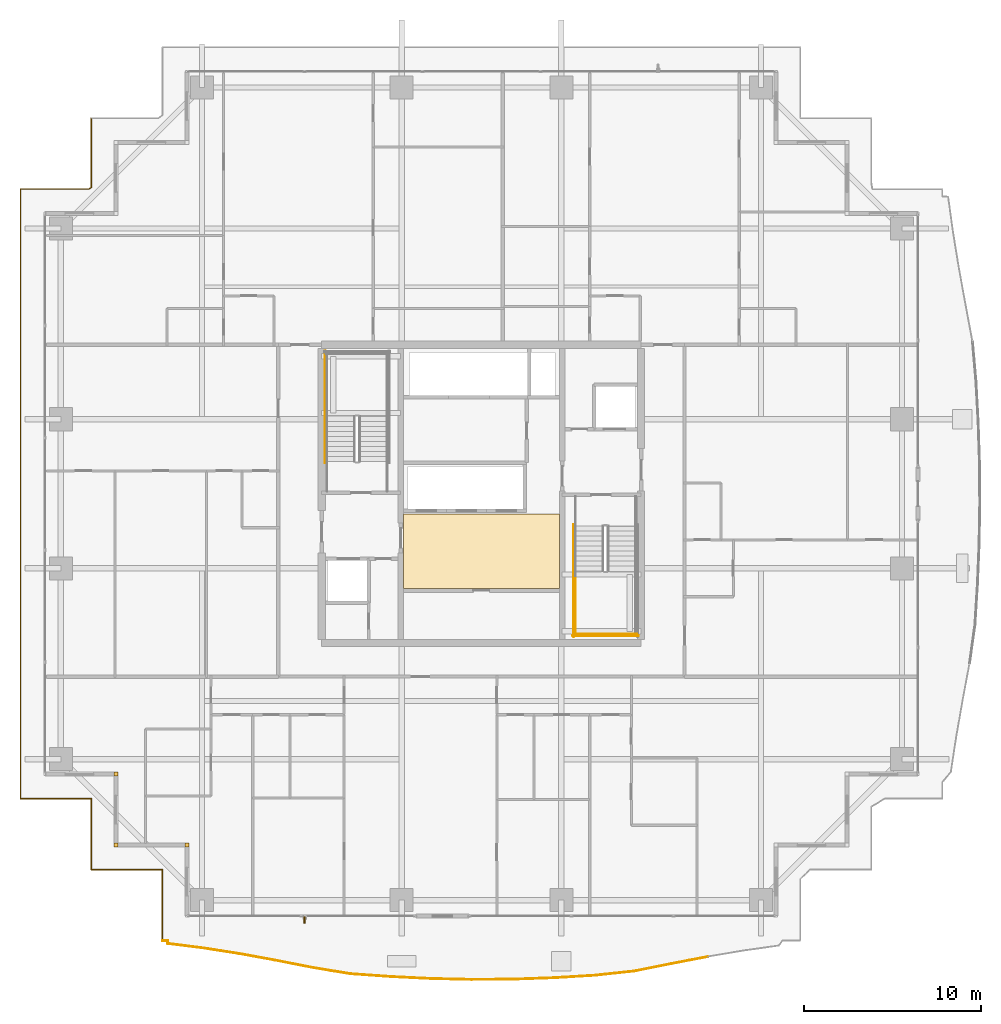
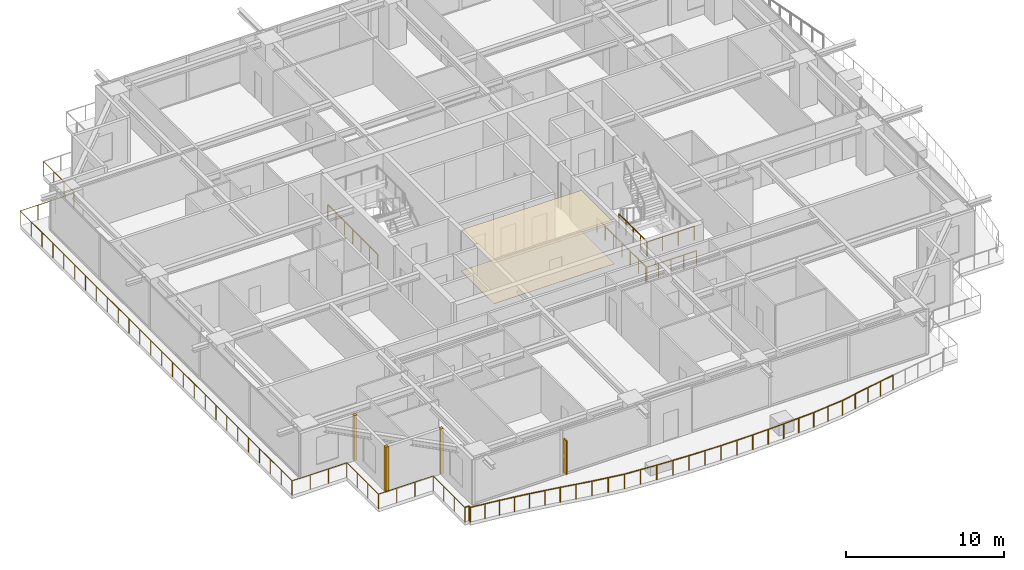
# One storey, part 32 of 36: 8 railings, 5 coverings, 1 shading device.
"""IFC4 building model written with IfcOpenShell, lengths in metres."""

from ifc_helpers import new_model, si_unit, direction, frame, origin, origin_2d, place, context, subcontext, project, spatial, polyline, rectangle, circle, outline, extrude, source, transform, mapped, material, layer, layer_set, type_object, element, save


model = new_model("IFC4")

# Units and contexts
model_context = context("Model", 3, precision=1e-05, world=origin(), true_north=direction((0.0, 1.0)))
body_context = subcontext(model_context, "Body", "Model", "MODEL_VIEW")
ifc_project = project(units=[si_unit("LENGTHUNIT", "METRE"), si_unit("AREAUNIT", "SQUARE_METRE"), si_unit("VOLUMEUNIT", "CUBIC_METRE"), si_unit("PLANEANGLEUNIT", "RADIAN"), si_unit("MASSUNIT", "GRAM", prefix="KILO")], contexts=[model_context])

# Site, building, storey
site_placement = place(None, origin())
site = spatial("IfcSite", under=ifc_project, at=site_placement, CompositionType="ELEMENT")
building_placement = place(site_placement, origin())
building = spatial("IfcBuilding", under=site, at=building_placement, Name="Serunith Strait Residences", CompositionType="ELEMENT")
storey_placement = place(building_placement, frame((0.0, 0.0, 146.39990234375)))
storey = spatial("IfcBuildingStorey", under=building, at=storey_placement, Name="L36", CompositionType="ELEMENT", Elevation=146.39990234375)

# Coverings
ifc_material_1 = material(Name="Perforated acoustic gypsum ceiling tile")
ifc_layer_1 = layer(ifc_material_1, 0.02490234375, Name="Perforated acoustic gypsum ceiling tile")
ifc_layer_set_1 = layer_set([ifc_layer_1], Name="Perforated acoustic gypsum ceiling tile")
covering_type_1 = type_object("IfcCoveringType", Name="COV-CEIL-AC60", PredefinedType="CEILING", material=ifc_layer_set_1)
covering_1_placement = place(storey_placement, frame((0.0, 0.0, 3.14013671875)))
element("IfcCovering", 1, at=covering_1_placement, inside=storey, type_object=covering_type_1, Name="L36 Lift Lobby Acoustic Ceiling", PredefinedType="CEILING", context=body_context, shape_type="SweptSolid", body=[
    extrude(outline(polyline([(28.0, 19.85009765625), (36.800048828125, 19.85009765625), (36.800048828125, 24.050048828125), (28.0, 24.050048828125), (28.0, 19.85009765625)])), origin(), (0.0, 0.0, 1.0), 0.02490234375),
])
ifc_material_2 = material(Name="Honed limestone terrazzo flooring", Category="masonry")
ifc_layer_2 = layer(ifc_material_2, 0.02001953125, Name="Honed limestone terrazzo flooring")
ifc_layer_set_2 = layer_set([ifc_layer_2], Name="Honed limestone terrazzo flooring")
covering_type_2 = type_object("IfcCoveringType", Name="COV-FLOOR-TER40", PredefinedType="FLOORING", material=ifc_layer_set_2)
covering_2_placement = place(storey_placement, origin())
element("IfcCovering", 2, at=covering_2_placement, inside=storey, type_object=covering_type_2, Name="L36 Lift Lobby Terrazzo Flooring", PredefinedType="FLOORING", context=body_context, shape_type="SweptSolid", body=[
    extrude(outline(polyline([(28.0, 19.85009765625), (36.800048828125, 19.85009765625), (36.800048828125, 24.050048828125), (28.0, 24.050048828125), (28.0, 19.85009765625)])), origin(), (0.0, 0.0, 1.0), 0.02001953125),
])

# Railings
ifc_material_3 = material(Name="Stainless Steel & Laminated Glass Balustrade", Category="steel")
railing_type_1 = type_object("IfcRailingType", Name="RLG-BALC-1150", PredefinedType="BALUSTRADE", material=ifc_material_3)
railing_1_placement = place(storey_placement, frame((14.419921875, 0.02001953125, -0.0498046875)))
element("IfcRailing", 3, at=railing_1_placement, inside=storey, type_object=railing_type_1, Name="L36 Swirling Balcony Perimeter Balustrade 1", PredefinedType="BALUSTRADE", context=body_context, shape_type="SweptSolid", body=[
    extrude(circle(Radius=0.02392578125, at=origin_2d()), frame((0.0, 0.001953125, 1.1259765625), z_axis=(0.0, 1.0, 0.0), x_axis=(-1.0, 0.0, 0.0)), (0.0, 0.0, 1.0), 3.99609375),
    extrude(circle(Radius=0.02392578125, at=origin_2d()), frame((-0.001953125, 4.0, 1.1259765625), z_axis=(-1.0, 0.0, 0.0), x_axis=(0.0, -1.0, 0.0)), (0.0, 0.0, 1.0), 3.99609375),
    extrude(circle(Radius=0.02392578125, at=origin_2d()), frame((-4.0, 4.001953125, 1.1259765625), z_axis=(0.0, 1.0, 0.0), x_axis=(-1.0, 0.0, 0.0)), (0.0, 0.0, 1.0), 3.99609375),
    extrude(circle(Radius=0.02392578125, at=origin_2d()), frame((-4.001953125, 8.0, 1.1259765625), z_axis=(-1.0, 0.0, 0.0), x_axis=(0.0, -1.0, 0.0)), (0.0, 0.0, 1.0), 3.99609375),
    extrude(circle(Radius=0.02392578125, at=origin_2d()), frame((-8.0, 8.001953125, 1.1259765625), z_axis=(0.0, 1.0, 0.0), x_axis=(-1.0, 0.0, 0.0)), (0.0, 0.0, 1.0), 34.35595703125),
    extrude(circle(Radius=0.02392578125, at=origin_2d()), frame((-7.998046875, 42.35986328125, 1.1259765625), z_axis=(1.0, 0.0, 0.0), x_axis=(0.0, 1.0, 0.0)), (0.0, 0.0, 1.0), 3.861083984375),
    extrude(circle(Radius=0.02392578125, at=origin_2d()), frame((-4.13330078125, 42.361083984375, 1.1259765625), z_axis=(0.808862567734, 0.587997743633, 0.0), x_axis=(-0.587997743633, 0.808862567734, 0.0)), (0.0, 0.0, 1.0), 0.162841796875),
    extrude(circle(Radius=0.02392578125, at=origin_2d()), frame((-4.0, 42.4599609375, 1.1259765625), z_axis=(0.0, 1.0, 0.0), x_axis=(-1.0, 0.0, 0.0)), (0.0, 0.0, 1.0), 3.89794921875),
    extrude(circle(Radius=0.02099609375, at=origin_2d()), origin(), (0.0, 0.0, 1.0), 1.099853515625),
    extrude(circle(Radius=0.02099609375, at=origin_2d()), frame((0.0, 1.333251953125, 0.0)), (0.0, 0.0, 1.0), 1.099853515625),
    extrude(circle(Radius=0.02099609375, at=origin_2d()), frame((0.0, 2.666748046875, 0.0)), (0.0, 0.0, 1.0), 1.099853515625),
    extrude(circle(Radius=0.02099609375, at=origin_2d()), frame((0.0, 4.0, 0.0)), (0.0, 0.0, 1.0), 1.099853515625),
    extrude(circle(Radius=0.02099609375, at=origin_2d()), frame((-1.333251953125, 4.0, 0.0)), (0.0, 0.0, 1.0), 1.099853515625),
    extrude(circle(Radius=0.02099609375, at=origin_2d()), frame((-2.666748046875, 4.0, 0.0)), (0.0, 0.0, 1.0), 1.099853515625),
    extrude(circle(Radius=0.02099609375, at=origin_2d()), frame((-4.0, 4.0, 0.0)), (0.0, 0.0, 1.0), 1.099853515625),
    extrude(circle(Radius=0.02099609375, at=origin_2d()), frame((-4.0, 5.333251953125, 0.0)), (0.0, 0.0, 1.0), 1.099853515625),
    extrude(circle(Radius=0.02099609375, at=origin_2d()), frame((-4.0, 6.666748046875, 0.0)), (0.0, 0.0, 1.0), 1.099853515625),
    extrude(circle(Radius=0.02099609375, at=origin_2d()), frame((-4.0, 8.0, 0.0)), (0.0, 0.0, 1.0), 1.099853515625),
    extrude(circle(Radius=0.02099609375, at=origin_2d()), frame((-5.333251953125, 8.0, 0.0)), (0.0, 0.0, 1.0), 1.099853515625),
    extrude(circle(Radius=0.02099609375, at=origin_2d()), frame((-6.666748046875, 8.0, 0.0)), (0.0, 0.0, 1.0), 1.099853515625),
    extrude(circle(Radius=0.02099609375, at=origin_2d()), frame((-8.0, 8.0, 0.0)), (0.0, 0.0, 1.0), 1.099853515625),
    extrude(circle(Radius=0.02099609375, at=origin_2d()), frame((-8.0, 9.37451171875, 0.0)), (0.0, 0.0, 1.0), 1.099853515625),
    extrude(circle(Radius=0.02099609375, at=origin_2d()), frame((-8.0, 10.748779296875, 0.0)), (0.0, 0.0, 1.0), 1.099853515625),
    extrude(circle(Radius=0.02099609375, at=origin_2d()), frame((-8.0, 12.123291015625, 0.0)), (0.0, 0.0, 1.0), 1.099853515625),
    extrude(circle(Radius=0.02099609375, at=origin_2d()), frame((-8.0, 13.49755859375, 0.0)), (0.0, 0.0, 1.0), 1.099853515625),
    extrude(circle(Radius=0.02099609375, at=origin_2d()), frame((-8.0, 14.8720703125, 0.0)), (0.0, 0.0, 1.0), 1.099853515625),
    extrude(circle(Radius=0.02099609375, at=origin_2d()), frame((-8.0, 16.246337890625, 0.0)), (0.0, 0.0, 1.0), 1.099853515625),
    extrude(circle(Radius=0.02099609375, at=origin_2d()), frame((-8.0, 17.620849609375, 0.0)), (0.0, 0.0, 1.0), 1.099853515625),
    extrude(circle(Radius=0.02099609375, at=origin_2d()), frame((-8.0, 18.9951171875, 0.0)), (0.0, 0.0, 1.0), 1.099853515625),
    extrude(circle(Radius=0.02099609375, at=origin_2d()), frame((-8.0, 20.36962890625, 0.0)), (0.0, 0.0, 1.0), 1.099853515625),
    extrude(circle(Radius=0.02099609375, at=origin_2d()), frame((-8.0, 21.743896484375, 0.0)), (0.0, 0.0, 1.0), 1.099853515625),
    extrude(circle(Radius=0.02099609375, at=origin_2d()), frame((-8.0, 23.118408203125, 0.0)), (0.0, 0.0, 1.0), 1.099853515625),
    extrude(circle(Radius=0.02099609375, at=origin_2d()), frame((-8.0, 24.49267578125, 0.0)), (0.0, 0.0, 1.0), 1.099853515625),
    extrude(circle(Radius=0.02099609375, at=origin_2d()), frame((-8.0, 25.8671875, 0.0)), (0.0, 0.0, 1.0), 1.099853515625),
    extrude(circle(Radius=0.02099609375, at=origin_2d()), frame((-8.0, 27.241455078125, 0.0)), (0.0, 0.0, 1.0), 1.099853515625),
    extrude(circle(Radius=0.02099609375, at=origin_2d()), frame((-8.0, 28.615966796875, 0.0)), (0.0, 0.0, 1.0), 1.099853515625),
    extrude(circle(Radius=0.02099609375, at=origin_2d()), frame((-8.0, 29.990234375, 0.0)), (0.0, 0.0, 1.0), 1.099853515625),
    extrude(circle(Radius=0.02099609375, at=origin_2d()), frame((-8.0, 31.36474609375, 0.0)), (0.0, 0.0, 1.0), 1.099853515625),
    extrude(circle(Radius=0.02099609375, at=origin_2d()), frame((-8.0, 32.739013671875, 0.0)), (0.0, 0.0, 1.0), 1.099853515625),
    extrude(circle(Radius=0.02099609375, at=origin_2d()), frame((-8.0, 34.113525390625, 0.0)), (0.0, 0.0, 1.0), 1.099853515625),
    extrude(circle(Radius=0.02099609375, at=origin_2d()), frame((-8.0, 35.48779296875, 0.0)), (0.0, 0.0, 1.0), 1.099853515625),
    extrude(circle(Radius=0.02099609375, at=origin_2d()), frame((-8.0, 36.8623046875, 0.0)), (0.0, 0.0, 1.0), 1.099853515625),
    extrude(circle(Radius=0.02099609375, at=origin_2d()), frame((-8.0, 38.236572265625, 0.0)), (0.0, 0.0, 1.0), 1.099853515625),
    extrude(circle(Radius=0.02099609375, at=origin_2d()), frame((-8.0, 39.611083984375, 0.0)), (0.0, 0.0, 1.0), 1.099853515625),
    extrude(circle(Radius=0.02099609375, at=origin_2d()), frame((-8.0, 40.9853515625, 0.0)), (0.0, 0.0, 1.0), 1.099853515625),
    extrude(circle(Radius=0.02099609375, at=origin_2d()), frame((-8.0, 42.35986328125, 0.0)), (0.0, 0.0, 1.0), 1.099853515625),
    extrude(circle(Radius=0.02099609375, at=origin_2d()), frame((-6.711669921875, 42.35986328125, 0.0)), (0.0, 0.0, 1.0), 1.099853515625),
    extrude(circle(Radius=0.02099609375, at=origin_2d()), frame((-5.42333984375, 42.35986328125, 0.0)), (0.0, 0.0, 1.0), 1.099853515625),
    extrude(circle(Radius=0.02099609375, at=origin_2d()), frame((-4.135009765625, 42.35986328125, 0.0)), (0.0, 0.0, 1.0), 1.099853515625),
    extrude(circle(Radius=0.02099609375, at=origin_2d()), frame((-4.0, 42.4580078125, 0.0)), (0.0, 0.0, 1.0), 1.099853515625),
    extrude(circle(Radius=0.02099609375, at=origin_2d()), frame((-4.0, 43.758544921875, 0.0)), (0.0, 0.0, 1.0), 1.099853515625),
    extrude(circle(Radius=0.02099609375, at=origin_2d()), frame((-4.0, 45.059326171875, 0.0)), (0.0, 0.0, 1.0), 1.099853515625),
    extrude(circle(Radius=0.02099609375, at=origin_2d()), frame((-4.0, 46.35986328125, 0.0)), (0.0, 0.0, 1.0), 1.099853515625),
])
railing_2_placement = place(storey_placement, frame((45.15234375, -0.88916015625, -0.0498046875)))
element("IfcRailing", 4, at=railing_2_placement, inside=storey, type_object=railing_type_1, Name="L36 Swirling Balcony Perimeter Balustrade 7", PredefinedType="BALUSTRADE", context=body_context, shape_type="SweptSolid", body=[
    extrude(circle(Radius=0.02392578125, at=origin_2d()), frame((-0.001953125, -0.00048828125, 1.1259765625), z_axis=(-0.982117970388, -0.188266545728, 0.0), x_axis=(0.188266545728, -0.982117970388, 0.0)), (0.0, 0.0, 1.0), 2.085205078125),
    extrude(circle(Radius=0.02392578125, at=origin_2d()), frame((-2.0537109375, -0.393798828125, 1.1259765625), z_axis=(-0.980602495707, -0.196007003482, 0.0), x_axis=(0.196007003482, -0.980602495707, 0.0)), (0.0, 0.0, 1.0), 2.147216796875),
    extrude(circle(Radius=0.02392578125, at=origin_2d()), frame((-4.1630859375, -0.815185546875, 1.1259765625), z_axis=(-0.994344609857, -0.106201680065, 0.0), x_axis=(0.106201680065, -0.994344609857, 0.0)), (0.0, 0.0, 1.0), 2.232666015625),
    extrude(circle(Radius=0.02392578125, at=origin_2d()), frame((-6.38720703125, -1.052490234375, 1.1259765625), z_axis=(-0.998192678631, -0.060094727948, 0.0), x_axis=(0.060094727948, -0.998192678631, 0.0)), (0.0, 0.0, 1.0), 2.279296875),
    extrude(circle(Radius=0.02392578125, at=origin_2d()), frame((-8.666259765625, -1.189697265625, 1.1259765625), z_axis=(-0.999390316156, -0.034914122838, 0.0), x_axis=(0.034914122838, -0.999390316156, 0.0)), (0.0, 0.0, 1.0), 2.303466796875),
    extrude(circle(Radius=0.02392578125, at=origin_2d()), frame((-10.972412109375, -1.270263671875, 1.1259765625), z_axis=(-0.999977293914, -0.006738817185, 0.0), x_axis=(0.006738817185, -0.999977293914, 0.0)), (0.0, 0.0, 1.0), 2.314697265625),
    extrude(circle(Radius=0.02392578125, at=origin_2d()), frame((-13.291015625, -1.285888671875, 1.1259765625), z_axis=(-0.999754685219, 0.022148800917, 0.0), x_axis=(-0.022148800917, -0.999754685219, 0.0)), (0.0, 0.0, 1.0), 2.310791015625),
    extrude(circle(Radius=0.02392578125, at=origin_2d()), frame((-15.605224609375, -1.234619140625, 1.1259765625), z_axis=(-0.99880400999, 0.04889324727, 0.0), x_axis=(-0.04889324727, -0.99880400999, 0.0)), (0.0, 0.0, 1.0), 2.29296875),
    extrude(circle(Radius=0.02099609375, at=origin_2d()), origin(), (0.0, 0.0, 1.0), 1.099853515625),
    extrude(circle(Radius=0.02099609375, at=origin_2d()), frame((-1.02587890625, -0.19677734375, 0.0)), (0.0, 0.0, 1.0), 1.099853515625),
    extrude(circle(Radius=0.02099609375, at=origin_2d()), frame((-2.0517578125, -0.393310546875, 0.0)), (0.0, 0.0, 1.0), 1.099853515625),
    extrude(circle(Radius=0.02099609375, at=origin_2d()), frame((-3.1064453125, -0.60400390625, 0.0)), (0.0, 0.0, 1.0), 1.099853515625),
    extrude(circle(Radius=0.02099609375, at=origin_2d()), frame((-4.1611328125, -0.81494140625, 0.0)), (0.0, 0.0, 1.0), 1.099853515625),
    extrude(circle(Radius=0.02099609375, at=origin_2d()), frame((-5.273193359375, -0.93359375, 0.0)), (0.0, 0.0, 1.0), 1.099853515625),
    extrude(circle(Radius=0.02099609375, at=origin_2d()), frame((-6.38525390625, -1.052490234375, 0.0)), (0.0, 0.0, 1.0), 1.099853515625),
    extrude(circle(Radius=0.02099609375, at=origin_2d()), frame((-7.52490234375, -1.12109375, 0.0)), (0.0, 0.0, 1.0), 1.099853515625),
    extrude(circle(Radius=0.02099609375, at=origin_2d()), frame((-8.664306640625, -1.189697265625, 0.0)), (0.0, 0.0, 1.0), 1.099853515625),
    extrude(circle(Radius=0.02099609375, at=origin_2d()), frame((-9.8173828125, -1.22998046875, 0.0)), (0.0, 0.0, 1.0), 1.099853515625),
    extrude(circle(Radius=0.02099609375, at=origin_2d()), frame((-10.970458984375, -1.270263671875, 0.0)), (0.0, 0.0, 1.0), 1.099853515625),
    extrude(circle(Radius=0.02099609375, at=origin_2d()), frame((-12.1298828125, -1.278076171875, 0.0)), (0.0, 0.0, 1.0), 1.099853515625),
    extrude(circle(Radius=0.02099609375, at=origin_2d()), frame((-13.2890625, -1.285888671875, 0.0)), (0.0, 0.0, 1.0), 1.099853515625),
    extrude(circle(Radius=0.02099609375, at=origin_2d()), frame((-14.4462890625, -1.26025390625, 0.0)), (0.0, 0.0, 1.0), 1.099853515625),
    extrude(circle(Radius=0.02099609375, at=origin_2d()), frame((-15.603271484375, -1.234619140625, 0.0)), (0.0, 0.0, 1.0), 1.099853515625),
    extrude(circle(Radius=0.02099609375, at=origin_2d()), frame((-16.75048828125, -1.178466796875, 0.0)), (0.0, 0.0, 1.0), 1.099853515625),
    extrude(circle(Radius=0.02099609375, at=origin_2d()), frame((-17.8974609375, -1.122314453125, 0.0)), (0.0, 0.0, 1.0), 1.099853515625),
])
railing_3_placement = place(storey_placement, frame((27.2548828125, -2.011474609375, -0.0498046875)))
element("IfcRailing", 5, at=railing_3_placement, inside=storey, type_object=railing_type_1, Name="L36 Swirling Balcony Perimeter Balustrade 8", PredefinedType="BALUSTRADE", context=body_context, shape_type="SweptSolid", body=[
    extrude(circle(Radius=0.02392578125, at=origin_2d()), frame((-0.001953125, 0.000244140625, 1.1259765625), z_axis=(-0.997432392797, 0.071614396589, 0.0), x_axis=(-0.071614396589, -0.997432392797, 0.0)), (0.0, 0.0, 1.0), 2.262939453125),
    extrude(circle(Radius=0.02392578125, at=origin_2d()), frame((-2.26318359375, 0.16259765625, 1.1259765625), z_axis=(-0.98676145514, 0.162178391443, 0.0), x_axis=(-0.162178391443, -0.98676145514, 0.0)), (0.0, 0.0, 1.0), 2.189453125),
    extrude(circle(Radius=0.02392578125, at=origin_2d()), frame((-4.427490234375, 0.5185546875, 1.1259765625), z_axis=(-0.980893951289, 0.194543199122, 0.0), x_axis=(-0.194543199122, -0.980893951289, 0.0)), (0.0, 0.0, 1.0), 2.115478515625),
    extrude(circle(Radius=0.02392578125, at=origin_2d()), frame((-6.506591796875, 0.9306640625, 1.1259765625), z_axis=(-0.98383016379, 0.179103905088, 0.0), x_axis=(-0.179103905088, -0.98383016379, 0.0)), (0.0, 0.0, 1.0), 2.06103515625),
    extrude(circle(Radius=0.02392578125, at=origin_2d()), frame((-8.538330078125, 1.300537109375, 1.1259765625), z_axis=(-0.98811849994, 0.153693949382, 0.0), x_axis=(-0.153693949382, -0.98811849994, 0.0)), (0.0, 0.0, 1.0), 2.0244140625),
    extrude(circle(Radius=0.02392578125, at=origin_2d()), frame((-10.542724609375, 1.6123046875, 1.1259765625), z_axis=(-0.992091710156, 0.125515093275, 0.0), x_axis=(-0.125515093275, -0.992091710156, 0.0)), (0.0, 0.0, 1.0), 2.00537109375),
    extrude(circle(Radius=0.02392578125, at=origin_2d()), frame((-12.5341796875, 1.8662109375, 1.1259765625), z_axis=(0.008758788097, 0.99996164108, 0.0), x_axis=(-0.99996164108, 0.008758788097, 0.0)), (0.0, 0.0, 1.0), 0.163330078125),
    extrude(circle(Radius=0.02392578125, at=origin_2d()), frame((-12.53466796875, 2.031494140625, 1.1259765625), z_axis=(-1.0, 0.0, 0.0), x_axis=(0.0, -1.0, 0.0)), (0.0, 0.0, 1.0), 0.29833984375),
    extrude(circle(Radius=0.02099609375, at=origin_2d()), origin(), (0.0, 0.0, 1.0), 1.099853515625),
    extrude(circle(Radius=0.02099609375, at=origin_2d()), frame((-1.130615234375, 0.0810546875, 0.0)), (0.0, 0.0, 1.0), 1.099853515625),
    extrude(circle(Radius=0.02099609375, at=origin_2d()), frame((-2.26123046875, 0.162353515625, 0.0)), (0.0, 0.0, 1.0), 1.099853515625),
    extrude(circle(Radius=0.02099609375, at=origin_2d()), frame((-3.34326171875, 0.34033203125, 0.0)), (0.0, 0.0, 1.0), 1.099853515625),
    extrude(circle(Radius=0.02099609375, at=origin_2d()), frame((-4.425537109375, 0.51806640625, 0.0)), (0.0, 0.0, 1.0), 1.099853515625),
    extrude(circle(Radius=0.02099609375, at=origin_2d()), frame((-5.465087890625, 0.72412109375, 0.0)), (0.0, 0.0, 1.0), 1.099853515625),
    extrude(circle(Radius=0.02099609375, at=origin_2d()), frame((-6.504638671875, 0.930419921875, 0.0)), (0.0, 0.0, 1.0), 1.099853515625),
    extrude(circle(Radius=0.02099609375, at=origin_2d()), frame((-7.5205078125, 1.115234375, 0.0)), (0.0, 0.0, 1.0), 1.099853515625),
    extrude(circle(Radius=0.02099609375, at=origin_2d()), frame((-8.536376953125, 1.30029296875, 0.0)), (0.0, 0.0, 1.0), 1.099853515625),
    extrude(circle(Radius=0.02099609375, at=origin_2d()), frame((-9.53857421875, 1.4560546875, 0.0)), (0.0, 0.0, 1.0), 1.099853515625),
    extrude(circle(Radius=0.02099609375, at=origin_2d()), frame((-10.540771484375, 1.612060546875, 0.0)), (0.0, 0.0, 1.0), 1.099853515625),
    extrude(circle(Radius=0.02099609375, at=origin_2d()), frame((-11.53759765625, 1.73828125, 0.0)), (0.0, 0.0, 1.0), 1.099853515625),
    extrude(circle(Radius=0.02099609375, at=origin_2d()), frame((-12.5341796875, 1.8642578125, 0.0)), (0.0, 0.0, 1.0), 1.099853515625),
    extrude(circle(Radius=0.02099609375, at=origin_2d()), frame((-12.53271484375, 2.031494140625, 0.0)), (0.0, 0.0, 1.0), 1.099853515625),
    extrude(circle(Radius=0.02099609375, at=origin_2d()), frame((-12.8349609375, 2.031494140625, 0.0)), (0.0, 0.0, 1.0), 1.099853515625),
])
ifc_material_4 = material(Name="Brushed stainless steel 316L", Category="steel")
railing_type_2 = type_object("IfcRailingType", Name="RLG-STAIR-GUARD", PredefinedType="BALUSTRADE", material=ifc_material_4)
railing_4_placement = place(storey_placement, frame((23.60009765625, 26.929931640625, 0.0)))
element("IfcRailing", 6, at=railing_4_placement, inside=storey, type_object=railing_type_2, Name="L36 ST-1 stair guard 11", PredefinedType="BALUSTRADE", context=body_context, shape_type="SweptSolid", body=[
    extrude(circle(Radius=0.02392578125, at=origin_2d()), frame((0.0, 0.001953125, 1.076171875), z_axis=(0.0, 1.0, 0.0), x_axis=(-1.0, 0.0, 0.0)), (0.0, 0.0, 1.0), 6.316162109375),
    extrude(circle(Radius=0.02099609375, at=origin_2d()), origin(), (0.0, 0.0, 1.0), 1.050048828125),
    extrude(circle(Radius=0.02099609375, at=origin_2d()), frame((0.0, 1.05322265625, 0.0)), (0.0, 0.0, 1.0), 1.050048828125),
    extrude(circle(Radius=0.02099609375, at=origin_2d()), frame((0.0, 2.106689453125, 0.0)), (0.0, 0.0, 1.0), 1.050048828125),
    extrude(circle(Radius=0.02099609375, at=origin_2d()), frame((0.0, 3.16015625, 0.0)), (0.0, 0.0, 1.0), 1.050048828125),
    extrude(circle(Radius=0.02099609375, at=origin_2d()), frame((0.0, 4.21337890625, 0.0)), (0.0, 0.0, 1.0), 1.050048828125),
    extrude(circle(Radius=0.02099609375, at=origin_2d()), frame((0.0, 5.2666015625, 0.0)), (0.0, 0.0, 1.0), 1.050048828125),
    extrude(circle(Radius=0.02099609375, at=origin_2d()), frame((0.0, 6.320068359375, 0.0)), (0.0, 0.0, 1.0), 1.050048828125),
])
railing_5_placement = place(storey_placement, frame((37.699951171875, 20.85009765625, 1.875)))
element("IfcRailing", 7, at=railing_5_placement, inside=storey, type_object=railing_type_2, Name="L36 ST-2 stair guard 3", PredefinedType="BALUSTRADE", context=body_context, shape_type="SweptSolid", body=[
    extrude(circle(Radius=0.02392578125, at=origin_2d()), frame((0.0, -0.001953125, 1.076171875), z_axis=(0.0, -1.0, 0.0), x_axis=(1.0, 0.0, 0.0)), (0.0, 0.0, 1.0), 3.59619140625),
    extrude(circle(Radius=0.02099609375, at=origin_2d()), origin(), (0.0, 0.0, 1.0), 1.050048828125),
    extrude(circle(Radius=0.02099609375, at=origin_2d()), frame((0.0, -0.89990234375, 0.0)), (0.0, 0.0, 1.0), 1.050048828125),
    extrude(circle(Radius=0.02099609375, at=origin_2d()), frame((0.0, -1.800048828125, 0.0)), (0.0, 0.0, 1.0), 1.050048828125),
    extrude(circle(Radius=0.02099609375, at=origin_2d()), frame((0.0, -2.7001953125, 0.0)), (0.0, 0.0, 1.0), 1.050048828125),
    extrude(circle(Radius=0.02099609375, at=origin_2d()), frame((0.0, -3.60009765625, 0.0)), (0.0, 0.0, 1.0), 1.050048828125),
])
railing_6_placement = place(storey_placement, frame((37.64990234375, 17.300048828125, 1.875)))
element("IfcRailing", 8, at=railing_6_placement, inside=storey, type_object=railing_type_2, Name="L36 ST-2 stair guard 5", PredefinedType="BALUSTRADE", context=body_context, shape_type="SweptSolid", body=[
    extrude(circle(Radius=0.02392578125, at=origin_2d()), frame((0.001953125, 0.0, 1.076171875), z_axis=(1.0, 0.0, 0.0), x_axis=(0.0, 1.0, 0.0)), (0.0, 0.0, 1.0), 3.49609375),
    extrude(circle(Radius=0.02099609375, at=origin_2d()), origin(), (0.0, 0.0, 1.0), 1.050048828125),
    extrude(circle(Radius=0.02099609375, at=origin_2d()), frame((1.166748046875, 0.0, 0.0)), (0.0, 0.0, 1.0), 1.050048828125),
    extrude(circle(Radius=0.02099609375, at=origin_2d()), frame((2.333251953125, 0.0, 0.0)), (0.0, 0.0, 1.0), 1.050048828125),
    extrude(circle(Radius=0.02099609375, at=origin_2d()), frame((3.5, 0.0, 0.0)), (0.0, 0.0, 1.0), 1.050048828125),
])
railing_7_placement = place(storey_placement, frame((37.60009765625, 23.469970703125, 0.0)))
element("IfcRailing", 9, at=railing_7_placement, inside=storey, type_object=railing_type_2, Name="L36 ST-2 stair guard 10", PredefinedType="BALUSTRADE", context=body_context, shape_type="SweptSolid", body=[
    extrude(circle(Radius=0.02392578125, at=origin_2d()), frame((0.0, -0.001953125, 1.076171875), z_axis=(0.0, -1.0, 0.0), x_axis=(1.0, 0.0, 0.0)), (0.0, 0.0, 1.0), 6.316162109375),
    extrude(circle(Radius=0.02099609375, at=origin_2d()), origin(), (0.0, 0.0, 1.0), 1.050048828125),
    extrude(circle(Radius=0.02099609375, at=origin_2d()), frame((0.0, -1.05322265625, 0.0)), (0.0, 0.0, 1.0), 1.050048828125),
    extrude(circle(Radius=0.02099609375, at=origin_2d()), frame((0.0, -2.106689453125, 0.0)), (0.0, 0.0, 1.0), 1.050048828125),
    extrude(circle(Radius=0.02099609375, at=origin_2d()), frame((0.0, -3.16015625, 0.0)), (0.0, 0.0, 1.0), 1.050048828125),
    extrude(circle(Radius=0.02099609375, at=origin_2d()), frame((0.0, -4.21337890625, 0.0)), (0.0, 0.0, 1.0), 1.050048828125),
    extrude(circle(Radius=0.02099609375, at=origin_2d()), frame((0.0, -5.2666015625, 0.0)), (0.0, 0.0, 1.0), 1.050048828125),
    extrude(circle(Radius=0.02099609375, at=origin_2d()), frame((0.0, -6.320068359375, 0.0)), (0.0, 0.0, 1.0), 1.050048828125),
])
railing_8_placement = place(storey_placement, frame((37.550048828125, 17.199951171875, 0.0)))
element("IfcRailing", 10, at=railing_8_placement, inside=storey, type_object=railing_type_2, Name="L36 ST-2 stair guard 12", PredefinedType="BALUSTRADE", context=body_context, shape_type="SweptSolid", body=[
    extrude(circle(Radius=0.02392578125, at=origin_2d()), frame((0.001953125, 0.0, 1.076171875), z_axis=(1.0, 0.0, 0.0), x_axis=(0.0, 1.0, 0.0)), (0.0, 0.0, 1.0), 3.696044921875),
    extrude(circle(Radius=0.02099609375, at=origin_2d()), origin(), (0.0, 0.0, 1.0), 1.050048828125),
    extrude(circle(Radius=0.02099609375, at=origin_2d()), frame((0.925048828125, 0.0, 0.0)), (0.0, 0.0, 1.0), 1.050048828125),
    extrude(circle(Radius=0.02099609375, at=origin_2d()), frame((1.85009765625, 0.0, 0.0)), (0.0, 0.0, 1.0), 1.050048828125),
    extrude(circle(Radius=0.02099609375, at=origin_2d()), frame((2.77490234375, 0.0, 0.0)), (0.0, 0.0, 1.0), 1.050048828125),
    extrude(circle(Radius=0.02099609375, at=origin_2d()), frame((3.699951171875, 0.0, 0.0)), (0.0, 0.0, 1.0), 1.050048828125),
])

# Coverings
ifc_material_5 = material(Name="Pale-Champagne Anodised Aluminium", Category="aluminium")
ifc_layer_3 = layer(ifc_material_5, 0.219970703125, Name="Pale-Champagne Anodised Aluminium")
ifc_layer_set_3 = layer_set([ifc_layer_3], Name="Pale-Champagne Anodised Aluminium")
covering_type_3 = type_object("IfcCoveringType", Name="COV-CORN-TRIM", PredefinedType="CLADDING", material=ifc_layer_set_3)
shared_shape_1 = source(origin(), body_context, "Body", "SweptSolid", [
    extrude(rectangle(XDim=0.221923828125, YDim=0.221923828125, at=origin_2d()), origin(), (0.0, 0.0, 1.0), 3.47509765625),
])
for number, where, z_axis, x_axis, name in (
    (11, (11.800048828125, 9.39990234375, 0.0), (0.0, 0.0, 1.0), (1.0, 0.0, 0.0), "L36 Girih Serrated Corner Trim Post 17"),
    (12, (11.800048828125, 5.39990234375, 0.0), (0.0, 0.0, 1.0), (1.0, 0.0, 0.0), "L36 Girih Serrated Corner Trim Post 18"),
    (13, (15.800048828125, 5.39990234375, 0.0), (0.0, 0.0, 1.0), (1.0, 0.0, 0.0), "L36 Girih Serrated Corner Trim Post 19"),
):
    element("IfcCovering", number, at=place(storey_placement, frame(where, z_axis=z_axis, x_axis=x_axis)), inside=storey, type_object=covering_type_3, Name=name, PredefinedType="CLADDING", context=body_context, shape_type="MappedRepresentation", body=[
        mapped(shared_shape_1, transform((0.0, 0.0, 0.0), scale=1.0)),
    ])

# Shading device
ifc_material_6 = material(Name="Pale-Champagne Perforated Aluminium Fin", Category="aluminium")
shading_device_type = type_object("IfcShadingDeviceType", Name="SHD-DIAG-FIN", PredefinedType="AWNING", material=ifc_material_6)
shared_shape_2 = source(origin(), body_context, "Body", "SweptSolid", [
    extrude(rectangle(XDim=0.080078125, YDim=0.35009765625, at=origin_2d()), origin(), (0.0, 0.0, 1.0), 2.60009765625),
])
shading_device_placement = place(storey_placement, frame((22.43994140625, 1.179931640625, 0.199951171875), z_axis=(0.0, 0.0, 1.0), x_axis=(1.0, 0.0, 0.0)))
element("IfcShadingDevice", 14, at=shading_device_placement, inside=storey, type_object=shading_device_type, Name="L36 Diagonal Rhythm Solar Fin S", PredefinedType="AWNING", context=body_context, shape_type="MappedRepresentation", body=[
    mapped(shared_shape_2, transform((0.0, 0.0, 0.0), scale=1.0)),
])

save(model, "model.ifc")
